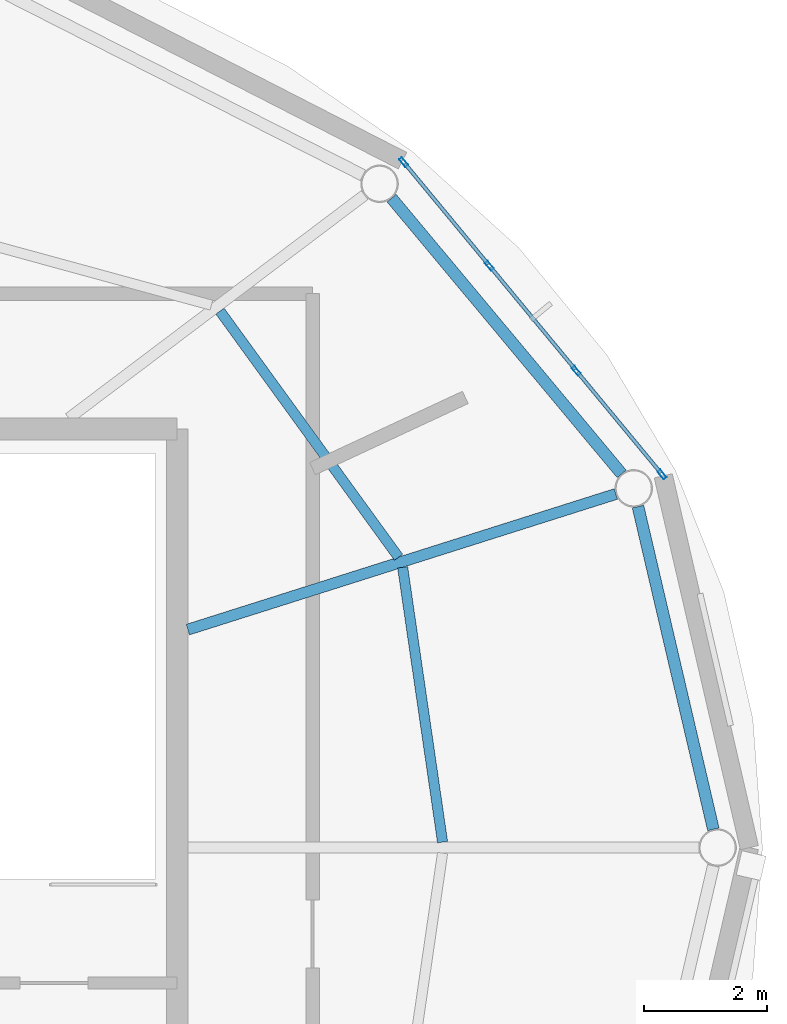
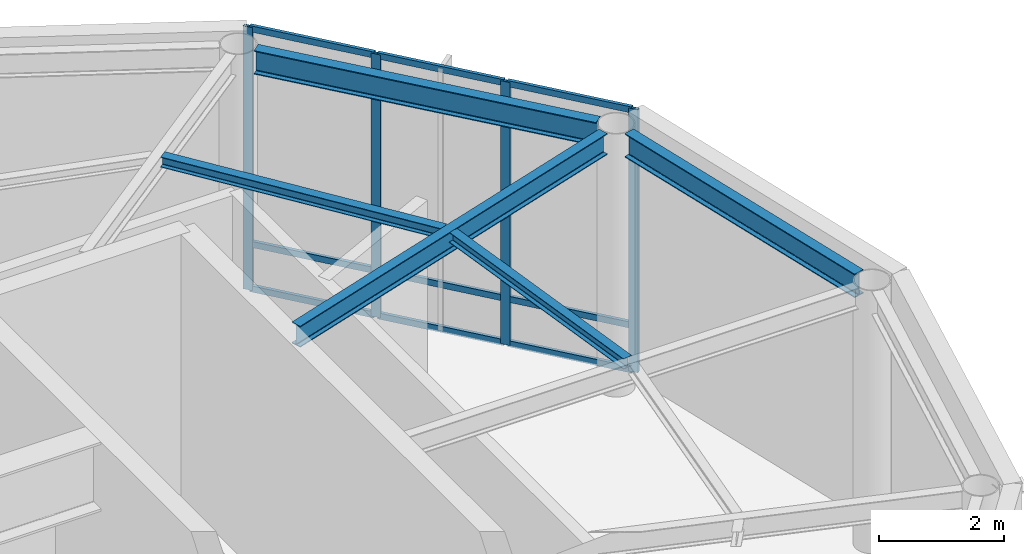
# One storey, part 10 of 14: 13 members, 5 beams, 1 element without a shape of its own.
"""IFC4 building model written with IfcOpenShell, lengths in metres."""

from ifc_helpers import new_model, si_unit, direction, frame, origin, origin_2d, place, context, subcontext, project, spatial, hollow_rectangle, i_section, extrude, material, layer, layer_set, material_profile, profile_set, type_object, element, aggregate, save


model = new_model("IFC4")

# Units and contexts
model_context = context("Model", 3, precision=1e-05, world=origin(), true_north=direction((0.0, 1.0)))
body_context = subcontext(model_context, "Body", "Model", "MODEL_VIEW")
ifc_project = project(units=[si_unit("LENGTHUNIT", "METRE"), si_unit("AREAUNIT", "SQUARE_METRE"), si_unit("VOLUMEUNIT", "CUBIC_METRE"), si_unit("PLANEANGLEUNIT", "RADIAN"), si_unit("MASSUNIT", "GRAM", prefix="KILO")], contexts=[model_context])

# Site, building, storey
site_placement = place(None, origin())
site = spatial("IfcSite", under=ifc_project, at=site_placement, CompositionType="ELEMENT")
building_placement = place(site_placement, origin())
building = spatial("IfcBuilding", under=site, at=building_placement, Name="Sarneth Arch Tower", CompositionType="ELEMENT")
storey_placement = place(building_placement, frame((0.0, 0.0, 321.60009765625)))
storey = spatial("IfcBuildingStorey", under=building, at=storey_placement, Name="L83", CompositionType="ELEMENT", Elevation=321.60009765625)

# Beams
ifc_material_1 = material(Name="Steel S355", Category="steel")
ifc_material_profile_1 = material_profile(ifc_material_1, i_section(OverallWidth=0.1650390625, OverallDepth=0.200927734375, WebThickness=0.006103515625, FlangeThickness=0.01025390625, FilletRadius=0.010009765625, at=origin_2d()), Name="W200x35.9")
ifc_profile_set_1 = profile_set([ifc_material_profile_1], Name="Steel S355")
beam_type_1 = type_object("IfcBeamType", Name="BM-JOIST-200", PredefinedType="JOIST", material=ifc_profile_set_1)
beam_1_placement = place(storey_placement, frame((63.312255859375, 42.089111328125, 5.039306640625), z_axis=(-0.143747114528, 0.989614453747, 0.0), x_axis=(-0.989614453747, -0.143747114528, 0.0)))
element("IfcBeam", 1, at=beam_1_placement, inside=storey, type_object=beam_type_1, Name="L83 Secondary floor joist 01", PredefinedType="JOIST", context=body_context, shape_type="SweptSolid", body=[
    extrude(i_section(OverallWidth=0.1650390625, OverallDepth=0.200927734375, WebThickness=0.006103515625, FlangeThickness=0.01025390625, FilletRadius=0.010009765625, at=origin_2d()), origin(), (0.0, 0.0, 1.0), 4.510986328125),
])
beam_2_placement = place(storey_placement, frame((62.597900390625, 46.71533203125, 5.039306640625), z_axis=(-0.587186987897, 0.809451321109, 0.0), x_axis=(-0.809451321109, -0.587186987897, 0.0)))
element("IfcBeam", 2, at=beam_2_placement, inside=storey, type_object=beam_type_1, Name="L83 Secondary floor joist 02", PredefinedType="JOIST", context=body_context, shape_type="SweptSolid", body=[
    extrude(i_section(OverallWidth=0.1650390625, OverallDepth=0.200927734375, WebThickness=0.006103515625, FlangeThickness=0.01025390625, FilletRadius=0.010009765625, at=origin_2d()), origin(), (0.0, 0.0, 1.0), 4.940673828125),
])
ifc_material_2 = material(Name="Steel S355", Category="steel")
ifc_material_profile_2 = material_profile(ifc_material_2, i_section(OverallWidth=0.179931640625, OverallDepth=0.4130859375, WebThickness=0.009765625, FlangeThickness=0.01611328125, FilletRadius=0.01611328125, at=origin_2d()), Name="W410x75")
ifc_profile_set_2 = profile_set([ifc_material_profile_2], Name="Steel S355")
beam_type_2 = type_object("IfcBeamType", Name="BM-RAD-410B", PredefinedType="BEAM", material=ifc_profile_set_2)
beam_3_placement = place(storey_placement, frame((59.175048828125, 45.541015625, 4.933349609375), z_axis=(0.953282145376, 0.302081365376, 0.0), x_axis=(-0.302081365376, 0.953282145376, 0.0)))
element("IfcBeam", 3, at=beam_3_placement, inside=storey, type_object=beam_type_2, Name="L83 Radial floor girder 02", PredefinedType="BEAM", context=body_context, shape_type="SweptSolid", body=[
    extrude(i_section(OverallWidth=0.179931640625, OverallDepth=0.4130859375, WebThickness=0.009765625, FlangeThickness=0.01611328125, FilletRadius=0.01611328125, at=origin_2d()), origin(), (0.0, 0.0, 1.0), 7.292236328125),
])
ifc_material_3 = material(Name="Steel S355", Category="steel")
ifc_material_profile_3 = material_profile(ifc_material_3, i_section(OverallWidth=0.19189453125, OverallDepth=0.462890625, WebThickness=0.010498046875, FlangeThickness=0.017578125, FilletRadius=0.01806640625, at=origin_2d()), Name="W460x89")
ifc_profile_set_3 = profile_set([ifc_material_profile_3], Name="Steel S355")
beam_type_3 = type_object("IfcBeamType", Name="BM-RAD-460B", PredefinedType="BEAM", material=ifc_profile_set_3)
beam_4_placement = place(storey_placement, frame((67.7109375, 42.297119140625, 4.908447265625), z_axis=(-0.227416006803, 0.973797699653, 0.0), x_axis=(-0.973797699653, -0.227416006803, 0.0)))
element("IfcBeam", 4, at=beam_4_placement, inside=storey, type_object=beam_type_3, Name="L83 Perimeter spandrel beam 01", PredefinedType="BEAM", context=body_context, shape_type="SweptSolid", body=[
    extrude(i_section(OverallWidth=0.19189453125, OverallDepth=0.462890625, WebThickness=0.010498046875, FlangeThickness=0.017578125, FilletRadius=0.01806640625, at=origin_2d()), origin(), (0.0, 0.0, 1.0), 5.3828125),
])
beam_5_placement = place(storey_placement, frame((66.221923828125, 48.070068359375, 4.908447265625), z_axis=(-0.64067411458, 0.767812919211, 0.0), x_axis=(-0.767812919211, -0.64067411458, 0.0)))
element("IfcBeam", 5, at=beam_5_placement, inside=storey, type_object=beam_type_3, Name="L83 Perimeter spandrel beam 02", PredefinedType="BEAM", context=body_context, shape_type="SweptSolid", body=[
    extrude(i_section(OverallWidth=0.19189453125, OverallDepth=0.462890625, WebThickness=0.010498046875, FlangeThickness=0.017578125, FilletRadius=0.01806640625, at=origin_2d()), origin(), (0.0, 0.0, 1.0), 5.833740234375),
])

# Curtain wall, members
ifc_material_4 = material(Name="Anodised aluminium Type AA25 and solar-control low-e laminated IGU", Category="aluminium")
ifc_layer = layer(ifc_material_4, 0.18994140625)
ifc_layer_set = layer_set([ifc_layer], Name="Anodised aluminium Type AA25 and solar-control low-e laminated IGU")
curtain_wall_type = type_object("IfcCurtainWallType", Name="CW-CROWN-DRUM", PredefinedType="NOTDEFINED", material=ifc_layer_set)
curtain_wall_placement = place(storey_placement, origin())
curtain_wall = element("IfcCurtainWall", 6, at=curtain_wall_placement, inside=storey, type_object=curtain_wall_type, Name="L83 Unitised curtain wall facet 02", PredefinedType="NOTDEFINED")
ifc_material_5 = material(Name="Anodised Aluminium 6063-T6", Category="aluminium")
ifc_material_profile_4 = material_profile(ifc_material_5, hollow_rectangle(XDim=0.06005859375, YDim=0.159912109375, WallThickness=0.00390625, at=origin_2d()), Name="AL-MULL-160x60x4")
ifc_profile_set_4 = profile_set([ifc_material_profile_4], Name="Anodised Aluminium 6063-T6")
member_type_1 = type_object("IfcMemberType", Name="CW-MULLION", PredefinedType="MULLION", material=ifc_profile_set_4)
member_1_placement = place(storey_placement, frame((66.8779296875, 48.061767578125, 0.0), z_axis=(0.0, 0.0, 1.0), x_axis=(-0.770446291962, -0.637504910728, 0.0)))
member_1 = element("IfcMember", 7, at=member_1_placement, type_object=member_type_1, Name="CW-SYS-7 mullion 1", PredefinedType="MULLION", context=body_context, shape_type="SweptSolid", body=[
    extrude(hollow_rectangle(XDim=0.06005859375, YDim=0.159912109375, WallThickness=0.00390625, at=origin_2d()), origin(), (0.0, 0.0, 1.0), 5.139892578125),
])
member_2_placement = place(storey_placement, frame((65.485107421875, 49.7451171875, 0.0), z_axis=(0.0, 0.0, 1.0), x_axis=(-0.770446291962, -0.637504910728, 0.0)))
member_2 = element("IfcMember", 8, at=member_2_placement, type_object=member_type_1, Name="CW-SYS-7 mullion 2", PredefinedType="MULLION", context=body_context, shape_type="SweptSolid", body=[
    extrude(hollow_rectangle(XDim=0.06005859375, YDim=0.159912109375, WallThickness=0.00390625, at=origin_2d()), origin(), (0.0, 0.0, 1.0), 5.139892578125),
])
member_3_placement = place(storey_placement, frame((64.072998046875, 51.45166015625, 0.0), z_axis=(0.0, 0.0, 1.0), x_axis=(-0.770446291962, -0.637504910728, 0.0)))
member_3 = element("IfcMember", 9, at=member_3_placement, type_object=member_type_1, Name="CW-SYS-7 mullion 3", PredefinedType="MULLION", context=body_context, shape_type="SweptSolid", body=[
    extrude(hollow_rectangle(XDim=0.06005859375, YDim=0.159912109375, WallThickness=0.00390625, at=origin_2d()), origin(), (0.0, 0.0, 1.0), 5.139892578125),
])
member_4_placement = place(storey_placement, frame((62.68017578125, 53.135009765625, 0.0), z_axis=(0.0, 0.0, 1.0), x_axis=(-0.770446291962, -0.637504910728, 0.0)))
member_4 = element("IfcMember", 10, at=member_4_placement, type_object=member_type_1, Name="CW-SYS-7 mullion 4", PredefinedType="MULLION", context=body_context, shape_type="SweptSolid", body=[
    extrude(hollow_rectangle(XDim=0.06005859375, YDim=0.159912109375, WallThickness=0.00390625, at=origin_2d()), origin(), (0.0, 0.0, 1.0), 5.139892578125),
])
ifc_material_6 = material(Name="Anodised Aluminium 6063-T6", Category="aluminium")
ifc_material_profile_5 = material_profile(ifc_material_6, hollow_rectangle(XDim=0.06005859375, YDim=0.1201171875, WallThickness=0.00390625, at=origin_2d()), Name="AL-TRAN-120x60x4")
ifc_profile_set_5 = profile_set([ifc_material_profile_5], Name="Anodised Aluminium 6063-T6")
member_type_2 = type_object("IfcMemberType", Name="CW-TRANSOM", PredefinedType="USERDEFINED", material=ifc_profile_set_5)
member_5_placement = place(storey_placement, frame((66.85888671875, 48.0849609375, 0.02978515625), z_axis=(-0.637513633204, 0.770439074476, 0.0), x_axis=(-0.770439074476, -0.637513633204, 0.0)))
member_5 = element("IfcMember", 11, at=member_5_placement, type_object=member_type_2, Name="CW-SYS-7 transom 1.1", ObjectType="TRANSOM", PredefinedType="USERDEFINED", context=body_context, shape_type="SweptSolid", body=[
    extrude(hollow_rectangle(XDim=0.06005859375, YDim=0.1201171875, WallThickness=0.00390625, at=origin_2d()), origin(), (0.0, 0.0, 1.0), 2.125),
])
member_6_placement = place(storey_placement, frame((66.85888671875, 48.0849609375, 0.89990234375), z_axis=(-0.637513633204, 0.770439074476, 0.0), x_axis=(-0.770439074476, -0.637513633204, 0.0)))
member_6 = element("IfcMember", 12, at=member_6_placement, type_object=member_type_2, Name="CW-SYS-7 transom 1.2", ObjectType="TRANSOM", PredefinedType="USERDEFINED", context=body_context, shape_type="SweptSolid", body=[
    extrude(hollow_rectangle(XDim=0.06005859375, YDim=0.1201171875, WallThickness=0.00390625, at=origin_2d()), origin(), (0.0, 0.0, 1.0), 2.125),
])
member_7_placement = place(storey_placement, frame((66.85888671875, 48.0849609375, 5.10986328125), z_axis=(-0.637513633204, 0.770439074476, 0.0), x_axis=(-0.770439074476, -0.637513633204, 0.0)))
member_7 = element("IfcMember", 13, at=member_7_placement, type_object=member_type_2, Name="CW-SYS-7 transom 1.3", ObjectType="TRANSOM", PredefinedType="USERDEFINED", context=body_context, shape_type="SweptSolid", body=[
    extrude(hollow_rectangle(XDim=0.06005859375, YDim=0.1201171875, WallThickness=0.00390625, at=origin_2d()), origin(), (0.0, 0.0, 1.0), 2.125),
])
member_8_placement = place(storey_placement, frame((65.466064453125, 49.768310546875, 0.02978515625), z_axis=(-0.637528294743, 0.770426942287, 0.0), x_axis=(-0.770426942287, -0.637528294743, 0.0)))
member_8 = element("IfcMember", 14, at=member_8_placement, type_object=member_type_2, Name="CW-SYS-7 transom 2.1", ObjectType="TRANSOM", PredefinedType="USERDEFINED", context=body_context, shape_type="SweptSolid", body=[
    extrude(hollow_rectangle(XDim=0.06005859375, YDim=0.1201171875, WallThickness=0.00390625, at=origin_2d()), origin(), (0.0, 0.0, 1.0), 2.15478515625),
])
member_9_placement = place(storey_placement, frame((65.466064453125, 49.768310546875, 0.89990234375), z_axis=(-0.637528294743, 0.770426942287, 0.0), x_axis=(-0.770426942287, -0.637528294743, 0.0)))
member_9 = element("IfcMember", 15, at=member_9_placement, type_object=member_type_2, Name="CW-SYS-7 transom 2.2", ObjectType="TRANSOM", PredefinedType="USERDEFINED", context=body_context, shape_type="SweptSolid", body=[
    extrude(hollow_rectangle(XDim=0.06005859375, YDim=0.1201171875, WallThickness=0.00390625, at=origin_2d()), origin(), (0.0, 0.0, 1.0), 2.15478515625),
])
member_10_placement = place(storey_placement, frame((65.466064453125, 49.768310546875, 5.10986328125), z_axis=(-0.637528294743, 0.770426942287, 0.0), x_axis=(-0.770426942287, -0.637528294743, 0.0)))
member_10 = element("IfcMember", 16, at=member_10_placement, type_object=member_type_2, Name="CW-SYS-7 transom 2.3", ObjectType="TRANSOM", PredefinedType="USERDEFINED", context=body_context, shape_type="SweptSolid", body=[
    extrude(hollow_rectangle(XDim=0.06005859375, YDim=0.1201171875, WallThickness=0.00390625, at=origin_2d()), origin(), (0.0, 0.0, 1.0), 2.15478515625),
])
member_11_placement = place(storey_placement, frame((64.053955078125, 51.474853515625, 0.02978515625), z_axis=(-0.637570065512, 0.770392375068, 0.0), x_axis=(-0.770392375068, -0.637570065512, 0.0)))
member_11 = element("IfcMember", 17, at=member_11_placement, type_object=member_type_2, Name="CW-SYS-7 transom 3.1", ObjectType="TRANSOM", PredefinedType="USERDEFINED", context=body_context, shape_type="SweptSolid", body=[
    extrude(hollow_rectangle(XDim=0.06005859375, YDim=0.1201171875, WallThickness=0.00390625, at=origin_2d()), origin(), (0.0, 0.0, 1.0), 2.124755859375),
])
member_12_placement = place(storey_placement, frame((64.053955078125, 51.474853515625, 0.89990234375), z_axis=(-0.637570065512, 0.770392375068, 0.0), x_axis=(-0.770392375068, -0.637570065512, 0.0)))
member_12 = element("IfcMember", 18, at=member_12_placement, type_object=member_type_2, Name="CW-SYS-7 transom 3.2", ObjectType="TRANSOM", PredefinedType="USERDEFINED", context=body_context, shape_type="SweptSolid", body=[
    extrude(hollow_rectangle(XDim=0.06005859375, YDim=0.1201171875, WallThickness=0.00390625, at=origin_2d()), origin(), (0.0, 0.0, 1.0), 2.124755859375),
])
member_13_placement = place(storey_placement, frame((64.053955078125, 51.474853515625, 5.10986328125), z_axis=(-0.637570065512, 0.770392375068, 0.0), x_axis=(-0.770392375068, -0.637570065512, 0.0)))
member_13 = element("IfcMember", 19, at=member_13_placement, type_object=member_type_2, Name="CW-SYS-7 transom 3.3", ObjectType="TRANSOM", PredefinedType="USERDEFINED", context=body_context, shape_type="SweptSolid", body=[
    extrude(hollow_rectangle(XDim=0.06005859375, YDim=0.1201171875, WallThickness=0.00390625, at=origin_2d()), origin(), (0.0, 0.0, 1.0), 2.124755859375),
])
aggregate(curtain_wall, [member_1, member_2, member_3, member_4, member_5, member_6, member_7, member_8, member_9, member_10, member_11, member_12, member_13])

save(model, "model.ifc")
